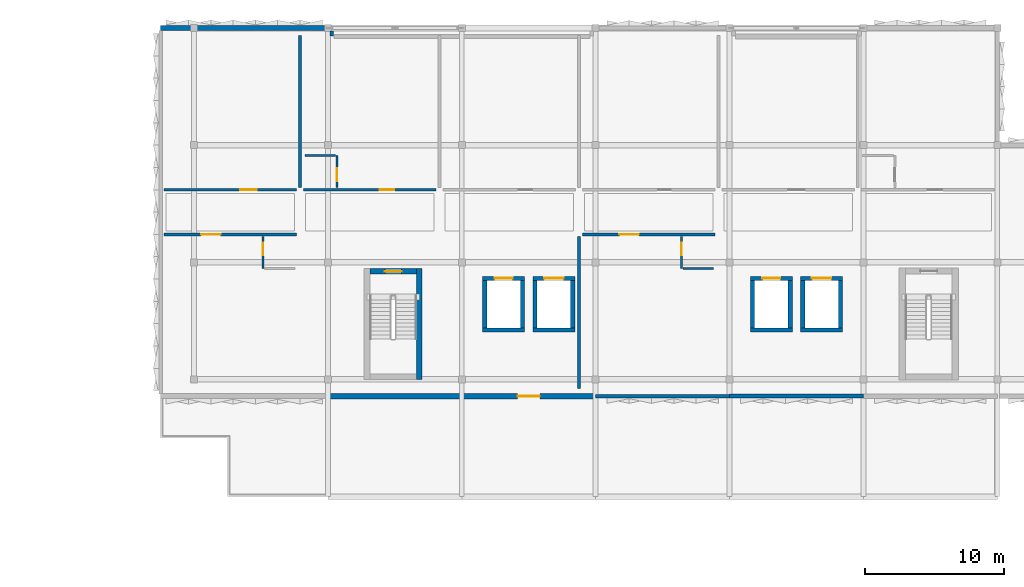
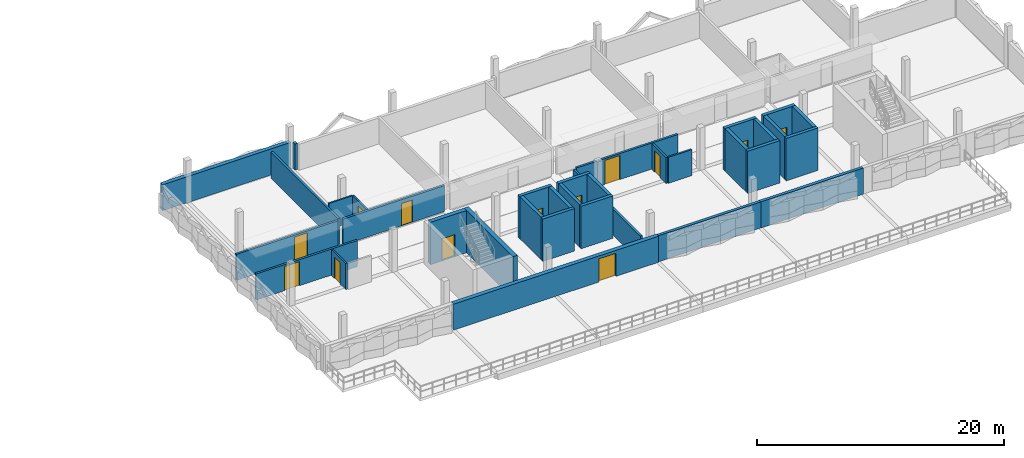
# One storey, part 7 of 13: 34 walls, 13 doors, 13 openings.
"""IFC4 building model written with IfcOpenShell, lengths in metres."""

from ifc_helpers import new_model, si_unit, direction, frame, frame_2d, origin, place, context, subcontext, project, spatial, rectangle, extrude, material, layer, layer_set, type_object, element, fill, save


model = new_model("IFC4")

# Units and contexts
model_context = context("Model", 3, precision=1e-05, world=origin(), true_north=direction((0.0, 1.0)))
body_context = subcontext(model_context, "Body", "Model", "MODEL_VIEW")
ifc_project = project(units=[si_unit("LENGTHUNIT", "METRE"), si_unit("AREAUNIT", "SQUARE_METRE"), si_unit("VOLUMEUNIT", "CUBIC_METRE"), si_unit("PLANEANGLEUNIT", "RADIAN"), si_unit("MASSUNIT", "GRAM", prefix="KILO")], contexts=[model_context])

# Site, building, storey
site_placement = place(None, origin())
site = spatial("IfcSite", under=ifc_project, at=site_placement, CompositionType="ELEMENT")
building_placement = place(site_placement, origin())
building = spatial("IfcBuilding", under=site, at=building_placement, Name="Oolite Switchyard Hospital", CompositionType="ELEMENT")
storey_placement = place(building_placement, frame((0.0, 0.0, 30.39990234375)))
storey = spatial("IfcBuildingStorey", under=building, at=storey_placement, Name="L07", CompositionType="ELEMENT", Elevation=30.39990234375)

# Walls
ifc_material_1 = material(Name="Precast oolitic limestone architectural concrete C40/50", Category="masonry")
ifc_layer_1 = layer(ifc_material_1, 0.260009765625)
ifc_layer_set_1 = layer_set([ifc_layer_1], Name="WAL-EXT-260")
wall_type_1 = type_object("IfcWallType", Name="WAL-EXT-260", PredefinedType="SOLIDWALL", material=ifc_layer_set_1)
wall_1_placement = place(storey_placement, frame((182.39990234375, 108.0, 0.0), z_axis=(0.0, 0.0, 1.0), x_axis=(-1.0, 0.0, 0.0)))
element("IfcWall", 1, at=wall_1_placement, inside=storey, type_object=wall_type_1, Name="L07 Exterior Spandrel Wall 385", PredefinedType="SOLIDWALL", context=body_context, shape_type="SweptSolid", body=[
    extrude(rectangle(XDim=9.599853515625, YDim=0.260009765625, at=frame_2d((4.7998046875, 0.0))), origin(), (0.0, 0.0, 1.0), 2.580078125),
])
wall_2_placement = place(storey_placement, frame((153.8798828125, 134.199951171875, 0.0), z_axis=(0.0, 0.0, 1.0), x_axis=(0.0, -1.0, 0.0)))
element("IfcWall", 2, at=wall_2_placement, inside=storey, type_object=wall_type_1, Name="L07 Brace Alcove Cheek Wall 391", PredefinedType="SOLIDWALL", context=body_context, shape_type="SweptSolid", body=[
    extrude(rectangle(XDim=0.35986328125, YDim=0.260009765625, at=frame_2d((0.179931640625, 0.0))), origin(), (0.0, 0.0, 1.0), 2.580078125),
])
ifc_layer_2 = layer(ifc_material_1, 0.280029296875)
ifc_layer_set_2 = layer_set([ifc_layer_2], Name="WAL-EXT-280")
wall_type_2 = type_object("IfcWallType", Name="WAL-EXT-280", PredefinedType="SOLIDWALL", material=ifc_layer_set_2)
wall_3_placement = place(storey_placement, frame((192.0, 108.0, 0.0), z_axis=(0.0, 0.0, 1.0), x_axis=(-1.0, 0.0, 0.0)))
element("IfcWall", 3, at=wall_3_placement, inside=storey, type_object=wall_type_2, Name="L07 Exterior Spandrel Wall 386", PredefinedType="SOLIDWALL", context=body_context, shape_type="SweptSolid", body=[
    extrude(rectangle(XDim=9.60009765625, YDim=0.280029296875, at=frame_2d((4.800048828125, 0.0))), origin(), (0.0, 0.0, 1.0), 2.580078125),
])
ifc_layer_3 = layer(ifc_material_1, 0.360107421875)
ifc_layer_set_3 = layer_set([ifc_layer_3], Name="WAL-EXT-360")
wall_type_3 = type_object("IfcWallType", Name="WAL-EXT-360", PredefinedType="SOLIDWALL", material=ifc_layer_set_3)
wall_4_placement = place(storey_placement, frame((141.60009765625, 134.39990234375, 0.0), z_axis=(0.0, 0.0, 1.0), x_axis=(1.0, 0.0, 0.0)))
element("IfcWall", 4, at=wall_4_placement, inside=storey, type_object=wall_type_3, Name="L07 Exterior Spandrel Wall 390", PredefinedType="SOLIDWALL", context=body_context, shape_type="SweptSolid", body=[
    extrude(rectangle(XDim=12.0, YDim=0.360107421875, at=frame_2d((6.0, 0.0))), origin(), (0.0, 0.0, 1.0), 2.580078125),
])

# Wall, opening, door
ifc_layer_4 = layer(ifc_material_1, 0.3798828125)
ifc_layer_set_4 = layer_set([ifc_layer_4], Name="WAL-EXT-380")
wall_type_4 = type_object("IfcWallType", Name="WAL-EXT-380", PredefinedType="SOLIDWALL", material=ifc_layer_set_4)
wall_5_placement = place(storey_placement, frame((172.800048828125, 108.0, 0.0), z_axis=(0.0, 0.0, 1.0), x_axis=(-1.0, 0.0, 0.0)))
wall_5 = element("IfcWall", 5, at=wall_5_placement, inside=storey, type_object=wall_type_4, Name="L07 Exterior Spandrel Wall 384", PredefinedType="SOLIDWALL", context=body_context, shape_type="SweptSolid", body=[
    extrude(rectangle(XDim=19.199951171875, YDim=0.3798828125, at=frame_2d((9.60009765625, 0.0))), origin(), (0.0, 0.0, 1.0), 2.580078125),
])
opening_1_placement = place(wall_5_placement, frame((4.0, 0.0, 0.0)))
opening_1 = element("IfcOpeningElement", 6, at=opening_1_placement, cuts=wall_5, Name="Opening EX-26", PredefinedType="OPENING", context=body_context, shape_type="SweptSolid", body=[
    extrude(rectangle(XDim=1.60009765625, YDim=2.300048828125, at=frame_2d((0.800048828125, 1.14990234375))), frame((0.0, 0.199951171875, 0.0), z_axis=(0.0, -1.0, 0.0), x_axis=(1.0, 0.0, 0.0)), (0.0, 0.0, 1.0), 0.39990234375),
])
ifc_material_2 = material(Name="Thermally broken aluminum frame with laminated impact glazing", Category="aluminium")
door_type_1 = type_object("IfcDoorType", Name="DR-TER-160X230", OperationType="NOTDEFINED", PredefinedType="DOOR", material=ifc_material_2)
door_1_placement = place(opening_1_placement, origin())
door_1 = element("IfcDoor", 7, at=door_1_placement, inside=storey, type_object=door_type_1, Name="L07 Exterior EX EX-26", OperationType="SINGLE_SWING_LEFT", OverallHeight=2.300048828125, OverallWidth=1.60009765625, PredefinedType="DOOR", context=body_context, shape_type="SweptSolid", body=[
    extrude(rectangle(XDim=1.60009765625, YDim=2.300048828125, at=frame_2d((0.800048828125, 1.14990234375))), frame((0.0, 0.02490234375, 0.0), z_axis=(0.0, -1.0, 0.0), x_axis=(1.0, 0.0, 0.0)), (0.0, 0.0, 1.0), 0.050048828125),
])
fill(opening_1, door_1)

ifc_material_3 = material(Name="Moisture-resistant gypsum board on steel studs", Category="steel")
ifc_layer_5 = layer(ifc_material_3, 0.14990234375)
ifc_layer_set_5 = layer_set([ifc_layer_5], Name="WAL-PART-150")
wall_type_5 = type_object("IfcWallType", Name="WAL-PART-150", PredefinedType="PARTITIONING", material=ifc_layer_set_5)
wall_6_placement = place(storey_placement, frame((148.949951171875, 117.14990234375, 0.0), z_axis=(0.0, 0.0, 1.0), x_axis=(0.0, 1.0, 0.0)))
wall_6 = element("IfcWall", 8, at=wall_6_placement, inside=storey, type_object=wall_type_5, Name="L07 Interior Partition 894", PredefinedType="PARTITIONING", context=body_context, shape_type="SweptSolid", body=[
    extrude(rectangle(XDim=2.300048828125, YDim=0.14990234375, at=frame_2d((1.14990234375, 0.0))), origin(), (0.0, 0.0, 1.0), 2.580078125),
])
opening_2_placement = place(wall_6_placement, frame((0.949951171875, 0.0, 0.0)))
opening_2 = element("IfcOpeningElement", 9, at=opening_2_placement, cuts=wall_6, Name="Opening D-0496", PredefinedType="OPENING", context=body_context, shape_type="SweptSolid", body=[
    extrude(rectangle(XDim=0.89990234375, YDim=2.10009765625, at=frame_2d((0.449951171875, 1.050048828125))), frame((0.0, 0.0849609375, 0.0), z_axis=(0.0, -1.0, 0.0), x_axis=(1.0, 0.0, 0.0)), (0.0, 0.0, 1.0), 0.169921875),
])
ifc_material_4 = material(Name="Solid-core antimicrobial hardwood leaf in steel frame", Category="steel")
door_type_2 = type_object("IfcDoorType", Name="DR-BATH-090X210", OperationType="NOTDEFINED", PredefinedType="DOOR", material=ifc_material_4)
door_2_placement = place(opening_2_placement, origin())
door_2 = element("IfcDoor", 10, at=door_2_placement, inside=storey, type_object=door_type_2, Name="L07 Interior Door D-0496", OperationType="SINGLE_SWING_RIGHT", OverallHeight=2.10009765625, OverallWidth=0.89990234375, PredefinedType="DOOR", context=body_context, shape_type="SweptSolid", body=[
    extrude(rectangle(XDim=0.89990234375, YDim=2.10009765625, at=frame_2d((0.449951171875, 1.050048828125))), frame((0.0, 0.02490234375, 0.0), z_axis=(0.0, -1.0, 0.0), x_axis=(1.0, 0.0, 0.0)), (0.0, 0.0, 1.0), 0.050048828125),
])
fill(opening_2, door_2)

wall_7_placement = place(storey_placement, frame((154.25, 122.949951171875, 0.0), z_axis=(0.0, 0.0, 1.0), x_axis=(0.0, 1.0, 0.0)))
wall_7 = element("IfcWall", 11, at=wall_7_placement, inside=storey, type_object=wall_type_5, Name="L07 Interior Partition 898", PredefinedType="PARTITIONING", context=body_context, shape_type="SweptSolid", body=[
    extrude(rectangle(XDim=2.300048828125, YDim=0.14990234375, at=frame_2d((1.14990234375, 0.0))), origin(), (0.0, 0.0, 1.0), 2.580078125),
])
opening_3_placement = place(wall_7_placement, frame((0.449951171875, 0.0, 0.0)))
opening_3 = element("IfcOpeningElement", 12, at=opening_3_placement, cuts=wall_7, Name="Opening D-0499", PredefinedType="OPENING", context=body_context, shape_type="SweptSolid", body=[
    extrude(rectangle(XDim=0.949951171875, YDim=2.10009765625, at=frame_2d((0.47509765625, 1.050048828125))), frame((0.0, 0.0849609375, 0.0), z_axis=(0.0, -1.0, 0.0), x_axis=(1.0, 0.0, 0.0)), (0.0, 0.0, 1.0), 0.169921875),
])
door_type_3 = type_object("IfcDoorType", Name="DR-BATH-095X210", OperationType="NOTDEFINED", PredefinedType="DOOR", material=ifc_material_4)
door_3_placement = place(opening_3_placement, origin())
door_3 = element("IfcDoor", 13, at=door_3_placement, inside=storey, type_object=door_type_3, Name="L07 Interior Door D-0499", OperationType="SINGLE_SWING_RIGHT", OverallHeight=2.10009765625, OverallWidth=0.949951171875, PredefinedType="DOOR", context=body_context, shape_type="SweptSolid", body=[
    extrude(rectangle(XDim=0.949951171875, YDim=2.10009765625, at=frame_2d((0.47509765625, 1.050048828125))), frame((0.0, 0.02490234375, 0.0), z_axis=(0.0, -1.0, 0.0), x_axis=(1.0, 0.0, 0.0)), (0.0, 0.0, 1.0), 0.050048828125),
])
fill(opening_3, door_3)

# Wall
wall_8_placement = place(storey_placement, frame((151.949951171875, 125.25, 0.0), z_axis=(0.0, 0.0, 1.0), x_axis=(1.0, 0.0, 0.0)))
element("IfcWall", 14, at=wall_8_placement, inside=storey, type_object=wall_type_5, Name="L07 Interior Partition 899", PredefinedType="PARTITIONING", context=body_context, shape_type="SweptSolid", body=[
    extrude(rectangle(XDim=2.199951171875, YDim=0.14990234375, at=frame_2d((1.10009765625, 0.0))), origin(), (0.0, 0.0, 1.0), 2.580078125),
])

# Wall, opening, door
wall_9_placement = place(storey_placement, frame((178.949951171875, 117.14990234375, 0.0), z_axis=(0.0, 0.0, 1.0), x_axis=(0.0, 1.0, 0.0)))
wall_9 = element("IfcWall", 15, at=wall_9_placement, inside=storey, type_object=wall_type_5, Name="L07 Interior Partition 904", PredefinedType="PARTITIONING", context=body_context, shape_type="SweptSolid", body=[
    extrude(rectangle(XDim=2.300048828125, YDim=0.14990234375, at=frame_2d((1.14990234375, 0.0))), origin(), (0.0, 0.0, 1.0), 2.580078125),
])
opening_4_placement = place(wall_9_placement, frame((0.949951171875, 0.0, 0.0)))
opening_4 = element("IfcOpeningElement", 16, at=opening_4_placement, cuts=wall_9, Name="Opening D-0502", PredefinedType="OPENING", context=body_context, shape_type="SweptSolid", body=[
    extrude(rectangle(XDim=0.89990234375, YDim=2.10009765625, at=frame_2d((0.449951171875, 1.050048828125))), frame((0.0, 0.0849609375, 0.0), z_axis=(0.0, -1.0, 0.0), x_axis=(1.0, 0.0, 0.0)), (0.0, 0.0, 1.0), 0.169921875),
])
door_4_placement = place(opening_4_placement, origin())
door_4 = element("IfcDoor", 17, at=door_4_placement, inside=storey, type_object=door_type_2, Name="L07 Interior Door D-0502", OperationType="SINGLE_SWING_LEFT", OverallHeight=2.10009765625, OverallWidth=0.89990234375, PredefinedType="DOOR", context=body_context, shape_type="SweptSolid", body=[
    extrude(rectangle(XDim=0.89990234375, YDim=2.10009765625, at=frame_2d((0.449951171875, 1.050048828125))), frame((0.0, 0.02490234375, 0.0), z_axis=(0.0, -1.0, 0.0), x_axis=(1.0, 0.0, 0.0)), (0.0, 0.0, 1.0), 0.050048828125),
])
fill(opening_4, door_4)

# Walls
wall_10_placement = place(storey_placement, frame((179.050048828125, 117.14990234375, 0.0), z_axis=(0.0, 0.0, 1.0), x_axis=(1.0, 0.0, 0.0)))
element("IfcWall", 18, at=wall_10_placement, inside=storey, type_object=wall_type_5, Name="L07 Interior Partition 905", PredefinedType="PARTITIONING", context=body_context, shape_type="SweptSolid", body=[
    extrude(rectangle(XDim=2.199951171875, YDim=0.14990234375, at=frame_2d((1.10009765625, 0.0))), origin(), (0.0, 0.0, 1.0), 2.580078125),
])
ifc_material_5 = material(Name="Concrete C50/60", Category="concrete")
ifc_layer_6 = layer(ifc_material_5, 0.300048828125)
ifc_layer_set_6 = layer_set([ifc_layer_6], Name="WAL-SHR-300")
wall_type_6 = type_object("IfcWallType", Name="WAL-SHR-300", PredefinedType="SHEAR", material=ifc_layer_set_6)
wall_11_placement = place(storey_placement, frame((164.699951171875, 112.75, 0.0), z_axis=(0.0, 0.0, 1.0), x_axis=(1.0, 0.0, 0.0)))
element("IfcWall", 19, at=wall_11_placement, inside=storey, type_object=wall_type_6, Name="L07 Lift Shaft Shear Wall EL-01", PredefinedType="SHEAR", context=body_context, shape_type="SweptSolid", body=[
    extrude(rectangle(XDim=3.0, YDim=0.300048828125, at=frame_2d((1.5, 0.0))), origin(), (0.0, 0.0, 1.0), 4.2001953125),
])
wall_12_placement = place(storey_placement, frame((167.550048828125, 112.89990234375, 0.0), z_axis=(0.0, 0.0, 1.0), x_axis=(0.0, 1.0, 0.0)))
element("IfcWall", 20, at=wall_12_placement, inside=storey, type_object=wall_type_6, Name="L07 Lift Shaft Shear Wall EL-01", PredefinedType="SHEAR", context=body_context, shape_type="SweptSolid", body=[
    extrude(rectangle(XDim=3.400146484375, YDim=0.300048828125, at=frame_2d((1.7001953125, 0.0))), origin(), (0.0, 0.0, 1.0), 4.2001953125),
])

# Wall, opening, door
wall_13_placement = place(storey_placement, frame((167.699951171875, 116.449951171875, 0.0), z_axis=(0.0, 0.0, 1.0), x_axis=(-1.0, 0.0, 0.0)))
wall_13 = element("IfcWall", 21, at=wall_13_placement, inside=storey, type_object=wall_type_6, Name="L07 Lift Shaft Shear Wall EL-01", PredefinedType="SHEAR", context=body_context, shape_type="SweptSolid", body=[
    extrude(rectangle(XDim=3.0, YDim=0.300048828125, at=frame_2d((1.5, 0.0))), origin(), (0.0, 0.0, 1.0), 4.2001953125),
])
opening_5_placement = place(wall_13_placement, frame((0.85009765625, 0.0, 0.0)))
opening_5 = element("IfcOpeningElement", 22, at=opening_5_placement, cuts=wall_13, Name="Opening LD-008", PredefinedType="OPENING", context=body_context, shape_type="SweptSolid", body=[
    extrude(rectangle(XDim=1.300048828125, YDim=2.300048828125, at=frame_2d((0.64990234375, 1.14990234375))), frame((0.0, 0.16015625, 0.0), z_axis=(0.0, -1.0, 0.0), x_axis=(1.0, 0.0, 0.0)), (0.0, 0.0, 1.0), 0.320068359375),
])
ifc_material_6 = material(Name="Brushed stainless steel fire-rated sliding landing door", Category="steel")
door_type_4 = type_object("IfcDoorType", Name="DR-LD-130X230", OperationType="NOTDEFINED", PredefinedType="DOOR", material=ifc_material_6)
door_5_placement = place(opening_5_placement, origin())
door_5 = element("IfcDoor", 23, at=door_5_placement, inside=storey, type_object=door_type_4, Name="L07 EL-01 Lift Landing Door LD-008", OperationType="SLIDING_TO_RIGHT", OverallHeight=2.300048828125, OverallWidth=1.300048828125, PredefinedType="DOOR", context=body_context, shape_type="SweptSolid", body=[
    extrude(rectangle(XDim=1.300048828125, YDim=2.300048828125, at=frame_2d((0.64990234375, 1.14990234375))), frame((0.0, 0.02490234375, 0.0), z_axis=(0.0, -1.0, 0.0), x_axis=(1.0, 0.0, 0.0)), (0.0, 0.0, 1.0), 0.050048828125),
])
fill(opening_5, door_5)

# Walls
wall_14_placement = place(storey_placement, frame((164.85009765625, 116.300048828125, 0.0), z_axis=(0.0, 0.0, 1.0), x_axis=(0.0, -1.0, 0.0)))
element("IfcWall", 24, at=wall_14_placement, inside=storey, type_object=wall_type_6, Name="L07 Lift Shaft Shear Wall EL-01", PredefinedType="SHEAR", context=body_context, shape_type="SweptSolid", body=[
    extrude(rectangle(XDim=3.400146484375, YDim=0.300048828125, at=frame_2d((1.7001953125, 0.0))), origin(), (0.0, 0.0, 1.0), 4.2001953125),
])
wall_15_placement = place(storey_placement, frame((168.300048828125, 112.75, 0.0), z_axis=(0.0, 0.0, 1.0), x_axis=(1.0, 0.0, 0.0)))
element("IfcWall", 25, at=wall_15_placement, inside=storey, type_object=wall_type_6, Name="L07 Lift Shaft Shear Wall EL-02", PredefinedType="SHEAR", context=body_context, shape_type="SweptSolid", body=[
    extrude(rectangle(XDim=3.0, YDim=0.300048828125, at=frame_2d((1.5, 0.0))), origin(), (0.0, 0.0, 1.0), 4.2001953125),
])
wall_16_placement = place(storey_placement, frame((171.14990234375, 112.89990234375, 0.0), z_axis=(0.0, 0.0, 1.0), x_axis=(0.0, 1.0, 0.0)))
element("IfcWall", 26, at=wall_16_placement, inside=storey, type_object=wall_type_6, Name="L07 Lift Shaft Shear Wall EL-02", PredefinedType="SHEAR", context=body_context, shape_type="SweptSolid", body=[
    extrude(rectangle(XDim=3.400146484375, YDim=0.300048828125, at=frame_2d((1.7001953125, 0.0))), origin(), (0.0, 0.0, 1.0), 4.2001953125),
])

# Wall, opening, door
wall_17_placement = place(storey_placement, frame((171.300048828125, 116.449951171875, 0.0), z_axis=(0.0, 0.0, 1.0), x_axis=(-1.0, 0.0, 0.0)))
wall_17 = element("IfcWall", 27, at=wall_17_placement, inside=storey, type_object=wall_type_6, Name="L07 Lift Shaft Shear Wall EL-02", PredefinedType="SHEAR", context=body_context, shape_type="SweptSolid", body=[
    extrude(rectangle(XDim=3.0, YDim=0.300048828125, at=frame_2d((1.5, 0.0))), origin(), (0.0, 0.0, 1.0), 4.2001953125),
])
opening_6_placement = place(wall_17_placement, frame((0.800048828125, 0.0, 0.0)))
opening_6 = element("IfcOpeningElement", 28, at=opening_6_placement, cuts=wall_17, Name="Opening LD-017", PredefinedType="OPENING", context=body_context, shape_type="SweptSolid", body=[
    extrude(rectangle(XDim=1.39990234375, YDim=2.300048828125, at=frame_2d((0.699951171875, 1.14990234375))), frame((0.0, 0.16015625, 0.0), z_axis=(0.0, -1.0, 0.0), x_axis=(1.0, 0.0, 0.0)), (0.0, 0.0, 1.0), 0.320068359375),
])
door_type_5 = type_object("IfcDoorType", Name="DR-LD-140X230", OperationType="NOTDEFINED", PredefinedType="DOOR", material=ifc_material_6)
door_6_placement = place(opening_6_placement, origin())
door_6 = element("IfcDoor", 29, at=door_6_placement, inside=storey, type_object=door_type_5, Name="L07 EL-02 Lift Landing Door LD-017", OperationType="SLIDING_TO_LEFT", OverallHeight=2.300048828125, OverallWidth=1.39990234375, PredefinedType="DOOR", context=body_context, shape_type="SweptSolid", body=[
    extrude(rectangle(XDim=1.39990234375, YDim=2.300048828125, at=frame_2d((0.699951171875, 1.14990234375))), frame((0.0, 0.02490234375, 0.0), z_axis=(0.0, -1.0, 0.0), x_axis=(1.0, 0.0, 0.0)), (0.0, 0.0, 1.0), 0.050048828125),
])
fill(opening_6, door_6)

# Walls
wall_18_placement = place(storey_placement, frame((168.449951171875, 116.300048828125, 0.0), z_axis=(0.0, 0.0, 1.0), x_axis=(0.0, -1.0, 0.0)))
element("IfcWall", 30, at=wall_18_placement, inside=storey, type_object=wall_type_6, Name="L07 Lift Shaft Shear Wall EL-02", PredefinedType="SHEAR", context=body_context, shape_type="SweptSolid", body=[
    extrude(rectangle(XDim=3.400146484375, YDim=0.300048828125, at=frame_2d((1.7001953125, 0.0))), origin(), (0.0, 0.0, 1.0), 4.2001953125),
])
wall_19_placement = place(storey_placement, frame((183.89990234375, 112.75, 0.0), z_axis=(0.0, 0.0, 1.0), x_axis=(1.0, 0.0, 0.0)))
element("IfcWall", 31, at=wall_19_placement, inside=storey, type_object=wall_type_6, Name="L07 Lift Shaft Shear Wall EL-03", PredefinedType="SHEAR", context=body_context, shape_type="SweptSolid", body=[
    extrude(rectangle(XDim=3.0, YDim=0.300048828125, at=frame_2d((1.5, 0.0))), origin(), (0.0, 0.0, 1.0), 4.2001953125),
])
wall_20_placement = place(storey_placement, frame((186.75, 112.89990234375, 0.0), z_axis=(0.0, 0.0, 1.0), x_axis=(0.0, 1.0, 0.0)))
element("IfcWall", 32, at=wall_20_placement, inside=storey, type_object=wall_type_6, Name="L07 Lift Shaft Shear Wall EL-03", PredefinedType="SHEAR", context=body_context, shape_type="SweptSolid", body=[
    extrude(rectangle(XDim=3.400146484375, YDim=0.300048828125, at=frame_2d((1.7001953125, 0.0))), origin(), (0.0, 0.0, 1.0), 4.2001953125),
])

# Wall, opening, door
wall_21_placement = place(storey_placement, frame((186.89990234375, 116.449951171875, 0.0), z_axis=(0.0, 0.0, 1.0), x_axis=(-1.0, 0.0, 0.0)))
wall_21 = element("IfcWall", 33, at=wall_21_placement, inside=storey, type_object=wall_type_6, Name="L07 Lift Shaft Shear Wall EL-03", PredefinedType="SHEAR", context=body_context, shape_type="SweptSolid", body=[
    extrude(rectangle(XDim=3.0, YDim=0.300048828125, at=frame_2d((1.5, 0.0))), origin(), (0.0, 0.0, 1.0), 4.2001953125),
])
opening_7_placement = place(wall_21_placement, frame((0.85009765625, 0.0, 0.0)))
opening_7 = element("IfcOpeningElement", 34, at=opening_7_placement, cuts=wall_21, Name="Opening LD-026", PredefinedType="OPENING", context=body_context, shape_type="SweptSolid", body=[
    extrude(rectangle(XDim=1.300048828125, YDim=2.300048828125, at=frame_2d((0.64990234375, 1.14990234375))), frame((0.0, 0.16015625, 0.0), z_axis=(0.0, -1.0, 0.0), x_axis=(1.0, 0.0, 0.0)), (0.0, 0.0, 1.0), 0.320068359375),
])
door_7_placement = place(opening_7_placement, origin())
door_7 = element("IfcDoor", 35, at=door_7_placement, inside=storey, type_object=door_type_4, Name="L07 EL-03 Lift Landing Door LD-026", OperationType="SLIDING_TO_RIGHT", OverallHeight=2.300048828125, OverallWidth=1.300048828125, PredefinedType="DOOR", context=body_context, shape_type="SweptSolid", body=[
    extrude(rectangle(XDim=1.300048828125, YDim=2.300048828125, at=frame_2d((0.64990234375, 1.14990234375))), frame((0.0, 0.02490234375, 0.0), z_axis=(0.0, -1.0, 0.0), x_axis=(1.0, 0.0, 0.0)), (0.0, 0.0, 1.0), 0.050048828125),
])
fill(opening_7, door_7)

# Walls
wall_22_placement = place(storey_placement, frame((184.050048828125, 116.300048828125, 0.0), z_axis=(0.0, 0.0, 1.0), x_axis=(0.0, -1.0, 0.0)))
element("IfcWall", 36, at=wall_22_placement, inside=storey, type_object=wall_type_6, Name="L07 Lift Shaft Shear Wall EL-03", PredefinedType="SHEAR", context=body_context, shape_type="SweptSolid", body=[
    extrude(rectangle(XDim=3.400146484375, YDim=0.300048828125, at=frame_2d((1.7001953125, 0.0))), origin(), (0.0, 0.0, 1.0), 4.2001953125),
])
wall_23_placement = place(storey_placement, frame((187.5, 112.75, 0.0), z_axis=(0.0, 0.0, 1.0), x_axis=(1.0, 0.0, 0.0)))
element("IfcWall", 37, at=wall_23_placement, inside=storey, type_object=wall_type_6, Name="L07 Lift Shaft Shear Wall EL-04", PredefinedType="SHEAR", context=body_context, shape_type="SweptSolid", body=[
    extrude(rectangle(XDim=3.0, YDim=0.300048828125, at=frame_2d((1.5, 0.0))), origin(), (0.0, 0.0, 1.0), 4.2001953125),
])
wall_24_placement = place(storey_placement, frame((190.35009765625, 112.89990234375, 0.0), z_axis=(0.0, 0.0, 1.0), x_axis=(0.0, 1.0, 0.0)))
element("IfcWall", 38, at=wall_24_placement, inside=storey, type_object=wall_type_6, Name="L07 Lift Shaft Shear Wall EL-04", PredefinedType="SHEAR", context=body_context, shape_type="SweptSolid", body=[
    extrude(rectangle(XDim=3.400146484375, YDim=0.300048828125, at=frame_2d((1.7001953125, 0.0))), origin(), (0.0, 0.0, 1.0), 4.2001953125),
])

# Wall, opening, door
wall_25_placement = place(storey_placement, frame((190.5, 116.449951171875, 0.0), z_axis=(0.0, 0.0, 1.0), x_axis=(-1.0, 0.0, 0.0)))
wall_25 = element("IfcWall", 39, at=wall_25_placement, inside=storey, type_object=wall_type_6, Name="L07 Lift Shaft Shear Wall EL-04", PredefinedType="SHEAR", context=body_context, shape_type="SweptSolid", body=[
    extrude(rectangle(XDim=3.0, YDim=0.300048828125, at=frame_2d((1.5, 0.0))), origin(), (0.0, 0.0, 1.0), 4.2001953125),
])
opening_8_placement = place(wall_25_placement, frame((0.800048828125, 0.0, 0.0)))
opening_8 = element("IfcOpeningElement", 40, at=opening_8_placement, cuts=wall_25, Name="Opening LD-034", PredefinedType="OPENING", context=body_context, shape_type="SweptSolid", body=[
    extrude(rectangle(XDim=1.39990234375, YDim=2.300048828125, at=frame_2d((0.699951171875, 1.14990234375))), frame((0.0, 0.16015625, 0.0), z_axis=(0.0, -1.0, 0.0), x_axis=(1.0, 0.0, 0.0)), (0.0, 0.0, 1.0), 0.320068359375),
])
door_8_placement = place(opening_8_placement, origin())
door_8 = element("IfcDoor", 41, at=door_8_placement, inside=storey, type_object=door_type_5, Name="L07 EL-04 Lift Landing Door LD-034", OperationType="SLIDING_TO_RIGHT", OverallHeight=2.300048828125, OverallWidth=1.39990234375, PredefinedType="DOOR", context=body_context, shape_type="SweptSolid", body=[
    extrude(rectangle(XDim=1.39990234375, YDim=2.300048828125, at=frame_2d((0.699951171875, 1.14990234375))), frame((0.0, 0.02490234375, 0.0), z_axis=(0.0, -1.0, 0.0), x_axis=(1.0, 0.0, 0.0)), (0.0, 0.0, 1.0), 0.050048828125),
])
fill(opening_8, door_8)

# Walls
wall_26_placement = place(storey_placement, frame((187.64990234375, 116.300048828125, 0.0), z_axis=(0.0, 0.0, 1.0), x_axis=(0.0, -1.0, 0.0)))
element("IfcWall", 42, at=wall_26_placement, inside=storey, type_object=wall_type_6, Name="L07 Lift Shaft Shear Wall EL-04", PredefinedType="SHEAR", context=body_context, shape_type="SweptSolid", body=[
    extrude(rectangle(XDim=3.400146484375, YDim=0.300048828125, at=frame_2d((1.7001953125, 0.0))), origin(), (0.0, 0.0, 1.0), 4.2001953125),
])
ifc_layer_7 = layer(ifc_material_5, 0.39990234375)
ifc_layer_set_7 = layer_set([ifc_layer_7], Name="WAL-SHR-400")
wall_type_7 = type_object("IfcWallType", Name="WAL-SHR-400", PredefinedType="SHEAR", material=ifc_layer_set_7)
wall_27_placement = place(storey_placement, frame((160.159912109375, 109.199951171875, 0.0), z_axis=(0.0, 0.0, 1.0), x_axis=(0.0, 1.0, 0.0)))
element("IfcWall", 43, at=wall_27_placement, inside=storey, type_object=wall_type_7, Name="L07 Core Shear Wall ST-03", PredefinedType="SHEAR", context=body_context, shape_type="SweptSolid", body=[
    extrude(rectangle(XDim=7.949951171875, YDim=0.39990234375, at=frame_2d((3.97509765625, 0.0))), origin(), (0.0, 0.0, 1.0), 4.2001953125),
])

# Wall, opening, door
wall_28_placement = place(storey_placement, frame((159.9599609375, 116.949951171875, 0.0), z_axis=(0.0, 0.0, 1.0), x_axis=(-1.0, 0.0, 0.0)))
wall_28 = element("IfcWall", 44, at=wall_28_placement, inside=storey, type_object=wall_type_7, Name="L07 Core Shear Wall ST-03", PredefinedType="SHEAR", context=body_context, shape_type="SweptSolid", body=[
    extrude(rectangle(XDim=3.35986328125, YDim=0.39990234375, at=frame_2d((1.679931640625, 0.0))), origin(), (0.0, 0.0, 1.0), 4.2001953125),
])
opening_9_placement = place(wall_28_placement, frame((1.080078125, 0.0, 0.0)))
opening_9 = element("IfcOpeningElement", 45, at=opening_9_placement, cuts=wall_28, Name="Opening SD-022", PredefinedType="OPENING", context=body_context, shape_type="SweptSolid", body=[
    extrude(rectangle(XDim=1.199951171875, YDim=2.199951171875, at=frame_2d((0.60009765625, 1.10009765625))), frame((0.0, 0.2099609375, 0.0), z_axis=(0.0, -1.0, 0.0), x_axis=(1.0, 0.0, 0.0)), (0.0, 0.0, 1.0), 0.419921875),
])
ifc_material_7 = material(Name="Hollow metal fire-rated steel door assembly", Category="steel")
door_type_6 = type_object("IfcDoorType", Name="DR-STR-120X220", OperationType="NOTDEFINED", PredefinedType="DOOR", material=ifc_material_7)
door_9_placement = place(opening_9_placement, origin())
door_9 = element("IfcDoor", 46, at=door_9_placement, inside=storey, type_object=door_type_6, Name="L07 ST-03 Exit Stair Door SD-022", OperationType="SINGLE_SWING_RIGHT", OverallHeight=2.199951171875, OverallWidth=1.199951171875, PredefinedType="DOOR", context=body_context, shape_type="SweptSolid", body=[
    extrude(rectangle(XDim=1.199951171875, YDim=2.199951171875, at=frame_2d((0.60009765625, 1.10009765625))), frame((0.0, 0.02490234375, 0.0), z_axis=(0.0, -1.0, 0.0), x_axis=(1.0, 0.0, 0.0)), (0.0, 0.0, 1.0), 0.050048828125),
])
fill(opening_9, door_9)

ifc_layer_8 = layer(ifc_material_3, 0.199951171875)
ifc_layer_set_8 = layer_set([ifc_layer_8], Name="WAL-SMK-200")
wall_type_8 = type_object("IfcWallType", Name="WAL-SMK-200", PredefinedType="PARTITIONING", material=ifc_layer_set_8)
wall_29_placement = place(storey_placement, frame((141.85009765625, 119.60009765625, 0.0), z_axis=(0.0, 0.0, 1.0), x_axis=(1.0, 0.0, 0.0)))
wall_29 = element("IfcWall", 47, at=wall_29_placement, inside=storey, type_object=wall_type_8, Name="L07 Interior Partition 893", PredefinedType="PARTITIONING", context=body_context, shape_type="SweptSolid", body=[
    extrude(rectangle(XDim=9.5, YDim=0.199951171875, at=frame_2d((4.75, 0.0))), origin(), (0.0, 0.0, 1.0), 2.580078125),
])
opening_10_placement = place(wall_29_placement, frame((2.64990234375, 0.0, 0.0)))
opening_10 = element("IfcOpeningElement", 48, at=opening_10_placement, cuts=wall_29, Name="Opening D-0495", PredefinedType="OPENING", context=body_context, shape_type="SweptSolid", body=[
    extrude(rectangle(XDim=1.39990234375, YDim=2.39990234375, at=frame_2d((0.699951171875, 1.199951171875))), frame((0.0, 0.10986328125, 0.0), z_axis=(0.0, -1.0, 0.0), x_axis=(1.0, 0.0, 0.0)), (0.0, 0.0, 1.0), 0.219970703125),
])
door_type_7 = type_object("IfcDoorType", Name="DR-ICU-140X240", OperationType="NOTDEFINED", PredefinedType="DOOR", material=ifc_material_4)
door_10_placement = place(opening_10_placement, origin())
door_10 = element("IfcDoor", 49, at=door_10_placement, inside=storey, type_object=door_type_7, Name="L07 Interior Door D-0495", OperationType="SINGLE_SWING_LEFT", OverallHeight=2.39990234375, OverallWidth=1.39990234375, PredefinedType="DOOR", context=body_context, shape_type="SweptSolid", body=[
    extrude(rectangle(XDim=1.39990234375, YDim=2.39990234375, at=frame_2d((0.699951171875, 1.199951171875))), frame((0.0, 0.02490234375, 0.0), z_axis=(0.0, -1.0, 0.0), x_axis=(1.0, 0.0, 0.0)), (0.0, 0.0, 1.0), 0.050048828125),
])
fill(opening_10, door_10)

wall_30_placement = place(storey_placement, frame((141.85009765625, 122.800048828125, 0.0), z_axis=(0.0, 0.0, 1.0), x_axis=(1.0, 0.0, 0.0)))
wall_30 = element("IfcWall", 50, at=wall_30_placement, inside=storey, type_object=wall_type_8, Name="L07 Interior Partition 896", PredefinedType="PARTITIONING", context=body_context, shape_type="SweptSolid", body=[
    extrude(rectangle(XDim=9.5, YDim=0.199951171875, at=frame_2d((4.75, 0.0))), origin(), (0.0, 0.0, 1.0), 2.580078125),
])
opening_11_placement = place(wall_30_placement, frame((5.449951171875, 0.0, 0.0)))
opening_11 = element("IfcOpeningElement", 51, at=opening_11_placement, cuts=wall_30, Name="Opening D-0497", PredefinedType="OPENING", context=body_context, shape_type="SweptSolid", body=[
    extrude(rectangle(XDim=1.199951171875, YDim=2.39990234375, at=frame_2d((0.60009765625, 1.199951171875))), frame((0.0, 0.10986328125, 0.0), z_axis=(0.0, -1.0, 0.0), x_axis=(1.0, 0.0, 0.0)), (0.0, 0.0, 1.0), 0.219970703125),
])
door_type_8 = type_object("IfcDoorType", Name="DR-PHARM-120X240", OperationType="NOTDEFINED", PredefinedType="DOOR", material=ifc_material_7)
door_11_placement = place(opening_11_placement, origin())
door_11 = element("IfcDoor", 52, at=door_11_placement, inside=storey, type_object=door_type_8, Name="L07 Interior Door D-0497", OperationType="SINGLE_SWING_RIGHT", OverallHeight=2.39990234375, OverallWidth=1.199951171875, PredefinedType="DOOR", context=body_context, shape_type="SweptSolid", body=[
    extrude(rectangle(XDim=1.199951171875, YDim=2.39990234375, at=frame_2d((0.60009765625, 1.199951171875))), frame((0.0, 0.02490234375, 0.0), z_axis=(0.0, -1.0, 0.0), x_axis=(1.0, 0.0, 0.0)), (0.0, 0.0, 1.0), 0.050048828125),
])
fill(opening_11, door_11)

wall_31_placement = place(storey_placement, frame((151.85009765625, 122.800048828125, 0.0), z_axis=(0.0, 0.0, 1.0), x_axis=(1.0, 0.0, 0.0)))
wall_31 = element("IfcWall", 53, at=wall_31_placement, inside=storey, type_object=wall_type_8, Name="L07 Interior Partition 897", PredefinedType="PARTITIONING", context=body_context, shape_type="SweptSolid", body=[
    extrude(rectangle(XDim=9.5, YDim=0.199951171875, at=frame_2d((4.75, 0.0))), origin(), (0.0, 0.0, 1.0), 2.580078125),
])
opening_12_placement = place(wall_31_placement, frame((5.449951171875, 0.0, 0.0)))
opening_12 = element("IfcOpeningElement", 54, at=opening_12_placement, cuts=wall_31, Name="Opening D-0498", PredefinedType="OPENING", context=body_context, shape_type="SweptSolid", body=[
    extrude(rectangle(XDim=1.050048828125, YDim=2.199951171875, at=frame_2d((0.52490234375, 1.10009765625))), frame((0.0, 0.10986328125, 0.0), z_axis=(0.0, -1.0, 0.0), x_axis=(1.0, 0.0, 0.0)), (0.0, 0.0, 1.0), 0.219970703125),
])
door_type_9 = type_object("IfcDoorType", Name="DR-DUTY-105X220", OperationType="NOTDEFINED", PredefinedType="DOOR", material=ifc_material_4)
door_12_placement = place(opening_12_placement, origin())
door_12 = element("IfcDoor", 55, at=door_12_placement, inside=storey, type_object=door_type_9, Name="L07 Interior Door D-0498", OperationType="SINGLE_SWING_LEFT", OverallHeight=2.199951171875, OverallWidth=1.050048828125, PredefinedType="DOOR", context=body_context, shape_type="SweptSolid", body=[
    extrude(rectangle(XDim=1.050048828125, YDim=2.199951171875, at=frame_2d((0.52490234375, 1.10009765625))), frame((0.0, 0.02490234375, 0.0), z_axis=(0.0, -1.0, 0.0), x_axis=(1.0, 0.0, 0.0)), (0.0, 0.0, 1.0), 0.050048828125),
])
fill(opening_12, door_12)

# Wall
wall_32_placement = place(storey_placement, frame((151.60009765625, 122.949951171875, 0.0), z_axis=(0.0, 0.0, 1.0), x_axis=(0.0, 1.0, 0.0)))
element("IfcWall", 56, at=wall_32_placement, inside=storey, type_object=wall_type_8, Name="L07 Interior Partition 900", PredefinedType="PARTITIONING", context=body_context, shape_type="SweptSolid", body=[
    extrude(rectangle(XDim=10.900146484375, YDim=0.199951171875, at=frame_2d((5.4501953125, 0.0))), origin(), (0.0, 0.0, 1.0), 2.580078125),
])

# Wall, opening, door
wall_33_placement = place(storey_placement, frame((171.85009765625, 119.60009765625, 0.0), z_axis=(0.0, 0.0, 1.0), x_axis=(1.0, 0.0, 0.0)))
wall_33 = element("IfcWall", 57, at=wall_33_placement, inside=storey, type_object=wall_type_8, Name="L07 Interior Partition 903", PredefinedType="PARTITIONING", context=body_context, shape_type="SweptSolid", body=[
    extrude(rectangle(XDim=9.5, YDim=0.199951171875, at=frame_2d((4.75, 0.0))), origin(), (0.0, 0.0, 1.0), 2.580078125),
])
opening_13_placement = place(wall_33_placement, frame((2.64990234375, 0.0, 0.0)))
opening_13 = element("IfcOpeningElement", 58, at=opening_13_placement, cuts=wall_33, Name="Opening D-0501", PredefinedType="OPENING", context=body_context, shape_type="SweptSolid", body=[
    extrude(rectangle(XDim=1.39990234375, YDim=2.39990234375, at=frame_2d((0.699951171875, 1.199951171875))), frame((0.0, 0.10986328125, 0.0), z_axis=(0.0, -1.0, 0.0), x_axis=(1.0, 0.0, 0.0)), (0.0, 0.0, 1.0), 0.219970703125),
])
door_13_placement = place(opening_13_placement, origin())
door_13 = element("IfcDoor", 59, at=door_13_placement, inside=storey, type_object=door_type_7, Name="L07 Interior Door D-0501", OperationType="SINGLE_SWING_RIGHT", OverallHeight=2.39990234375, OverallWidth=1.39990234375, PredefinedType="DOOR", context=body_context, shape_type="SweptSolid", body=[
    extrude(rectangle(XDim=1.39990234375, YDim=2.39990234375, at=frame_2d((0.699951171875, 1.199951171875))), frame((0.0, 0.02490234375, 0.0), z_axis=(0.0, -1.0, 0.0), x_axis=(1.0, 0.0, 0.0)), (0.0, 0.0, 1.0), 0.050048828125),
])
fill(opening_13, door_13)

# Wall
wall_34_placement = place(storey_placement, frame((171.60009765625, 108.550048828125, 0.0), z_axis=(0.0, 0.0, 1.0), x_axis=(0.0, 1.0, 0.0)))
element("IfcWall", 60, at=wall_34_placement, inside=storey, type_object=wall_type_8, Name="L07 Interior Partition 906", PredefinedType="PARTITIONING", context=body_context, shape_type="SweptSolid", body=[
    extrude(rectangle(XDim=10.89990234375, YDim=0.199951171875, at=frame_2d((5.449951171875, 0.0))), origin(), (0.0, 0.0, 1.0), 2.580078125),
])

save(model, "model.ifc")
